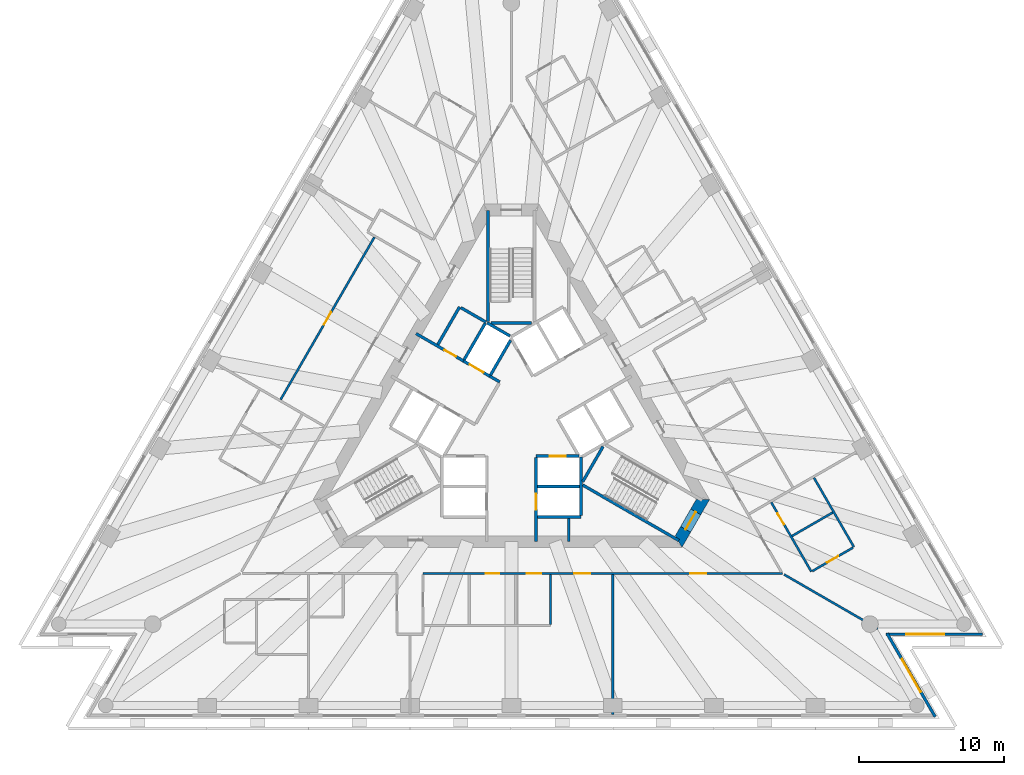
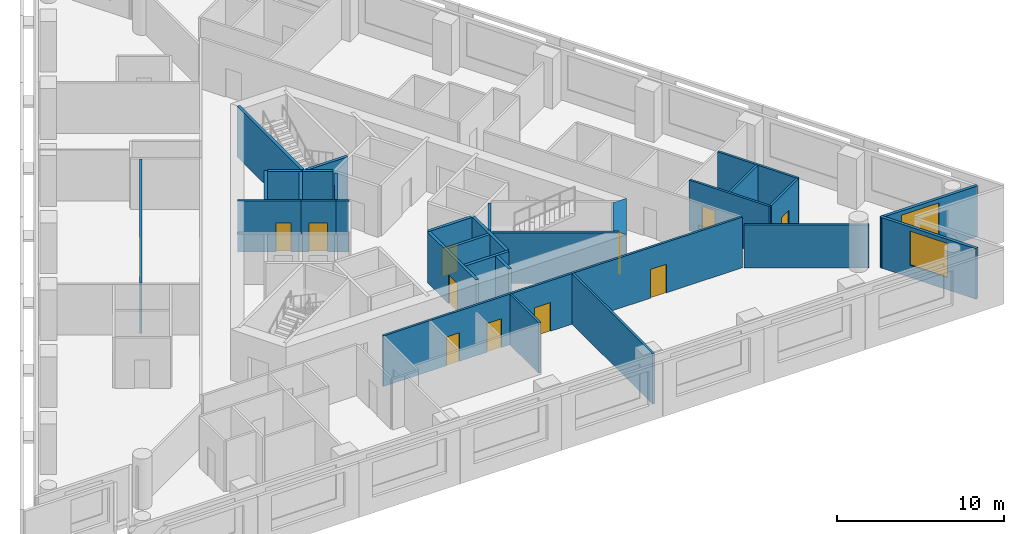
# One storey, part 5 of 10: 30 walls, 12 doors, 2 windows, 14 openings.
"""IFC4 building model written with IfcOpenShell, lengths in metres."""

from ifc_helpers import new_model, si_unit, direction, frame, frame_2d, origin, place, context, subcontext, project, spatial, polyline, rectangle, outline, extrude, material, layer, layer_set, layer_usage, type_object, element, fill, save


model = new_model("IFC4")

# Units and contexts
model_context = context("Model", 3, precision=1e-05, world=origin(), true_north=direction((0.0, 1.0)))
body_context = subcontext(model_context, "Body", "Model", "MODEL_VIEW")
ifc_project = project(units=[si_unit("LENGTHUNIT", "METRE"), si_unit("AREAUNIT", "SQUARE_METRE"), si_unit("VOLUMEUNIT", "CUBIC_METRE"), si_unit("PLANEANGLEUNIT", "RADIAN"), si_unit("MASSUNIT", "GRAM", prefix="KILO")], contexts=[model_context])

# Site, building, storey
site_placement = place(None, origin())
site = spatial("IfcSite", under=ifc_project, at=site_placement, CompositionType="ELEMENT")
building_placement = place(site_placement, origin())
building = spatial("IfcBuilding", under=site, at=building_placement, Name="Triada Interchange Tower", CompositionType="ELEMENT")
storey_placement = place(building_placement, frame((0.0, 0.0, 104.300048828125)))
storey = spatial("IfcBuildingStorey", under=building, at=storey_placement, Name="L23", CompositionType="ELEMENT", Elevation=104.300048828125)

# Walls
ifc_material_1 = material(Name="Concrete C30/37", Category="concrete")
ifc_layer_1 = layer(ifc_material_1, 0.199951171875)
ifc_layer_set_1 = layer_set([ifc_layer_1], Name="CORE WALL 200 EI 120")
wall_type_1 = type_object("IfcWallType", Name="CORE WALL 200 EI 120", PredefinedType="SOLIDWALL", material=ifc_layer_set_1)
wall_1_placement = place(storey_placement, frame((1.800048828125, -4.800048828125, 0.0), z_axis=(0.0, 0.0, 1.0), x_axis=(1.0, 0.0, 0.0)))
element("IfcWall", 1, at=wall_1_placement, inside=storey, type_object=wall_type_1, Name="Wall L23 67", PredefinedType="SOLIDWALL", context=body_context, shape_type="SweptSolid", body=[
    extrude(rectangle(XDim=2.89990234375, YDim=0.199951171875, at=frame_2d((1.449951171875, 0.0))), origin(), (0.0, 0.0, 1.0), 3.699951171875),
])
wall_2_placement = place(storey_placement, frame((1.800048828125, -6.89990234375, 0.0), z_axis=(0.0, 0.0, 1.0), x_axis=(1.0, 0.0, 0.0)))
element("IfcWall", 2, at=wall_2_placement, inside=storey, type_object=wall_type_1, Name="Wall L23 70", PredefinedType="SOLIDWALL", context=body_context, shape_type="SweptSolid", body=[
    extrude(rectangle(XDim=3.0, YDim=0.199951171875, at=frame_2d((1.5, 0.0))), origin(), (0.0, 0.0, 1.0), 3.699951171875),
])

# Wall, opening, door
wall_3_placement = place(storey_placement, frame((1.702880859375, -2.699951171875, 0.0), z_axis=(0.0, 0.0, 1.0), x_axis=(1.0, 0.0, 0.0)))
wall_3 = element("IfcWall", 3, at=wall_3_placement, inside=storey, type_object=wall_type_1, Name="Wall L23 73", PredefinedType="SOLIDWALL", context=body_context, shape_type="SweptSolid", body=[
    extrude(rectangle(XDim=2.97314453125, YDim=0.199951171875, at=frame_2d((1.486572265625, 0.0))), origin(), (0.0, 0.0, 1.0), 3.699951171875),
])
opening_1_placement = place(wall_3_placement, frame((0.93603515625, 0.0, 0.0)))
opening_1 = element("IfcOpeningElement", 4, at=opening_1_placement, cuts=wall_3, Name="Opening LD-LR1", PredefinedType="OPENING", context=body_context, shape_type="SweptSolid", body=[
    extrude(rectangle(XDim=1.10009765625, YDim=2.10009765625, at=frame_2d((0.550048828125, 1.050048828125))), frame((0.0, 0.10986328125, 0.0), z_axis=(0.0, -1.0, 0.0), x_axis=(1.0, 0.0, 0.0)), (0.0, 0.0, 1.0), 0.219970703125),
])
ifc_material_2 = material(Name="Steel S235 door leaf", Category="steel")
door_type_1 = type_object("IfcDoorType", Name="LIFT LANDING DOOR 1100 EI 120", OperationType="SLIDING_TO_LEFT", PredefinedType="DOOR", material=ifc_material_2)
door_1_placement = place(opening_1_placement, origin())
door_1 = element("IfcDoor", 5, at=door_1_placement, inside=storey, type_object=door_type_1, Name="LR1 landing door L23", OperationType="SLIDING_TO_LEFT", OverallHeight=2.10009765625, OverallWidth=1.10009765625, PredefinedType="DOOR", context=body_context, shape_type="SweptSolid", body=[
    extrude(rectangle(XDim=1.10009765625, YDim=2.10009765625, at=frame_2d((0.550048828125, 1.050048828125))), frame((0.0, 0.02490234375, 0.0), z_axis=(0.0, -1.0, 0.0), x_axis=(1.0, 0.0, 0.0)), (0.0, 0.0, 1.0), 0.050048828125),
])
fill(opening_1, door_1)

wall_4_placement = place(storey_placement, frame((1.699951171875, -8.580078125, 0.0), z_axis=(0.0, 0.0, 1.0), x_axis=(0.0, 1.0, 0.0)))
wall_4 = element("IfcWall", 6, at=wall_4_placement, inside=storey, type_object=wall_type_1, Name="Wall L23 78", PredefinedType="SOLIDWALL", context=body_context, shape_type="SweptSolid", body=[
    extrude(rectangle(XDim=5.777099609375, YDim=0.199951171875, at=frame_2d((2.888671875, 0.0))), origin(), (0.0, 0.0, 1.0), 3.699951171875),
])
opening_2_placement = place(wall_4_placement, frame((2.179931640625, 0.0, 0.0)))
opening_2 = element("IfcOpeningElement", 7, at=opening_2_placement, cuts=wall_4, Name="Opening LD-LR2", PredefinedType="OPENING", context=body_context, shape_type="SweptSolid", body=[
    extrude(rectangle(XDim=1.10009765625, YDim=2.10009765625, at=frame_2d((0.550048828125, 1.050048828125))), frame((0.0, 0.10986328125, 0.0), z_axis=(0.0, -1.0, 0.0), x_axis=(1.0, 0.0, 0.0)), (0.0, 0.0, 1.0), 0.219970703125),
])
door_2_placement = place(opening_2_placement, origin())
door_2 = element("IfcDoor", 8, at=door_2_placement, inside=storey, type_object=door_type_1, Name="LR2 landing door L23", OperationType="SLIDING_TO_LEFT", OverallHeight=2.10009765625, OverallWidth=1.10009765625, PredefinedType="DOOR", context=body_context, shape_type="SweptSolid", body=[
    extrude(rectangle(XDim=1.10009765625, YDim=2.10009765625, at=frame_2d((0.550048828125, 1.050048828125))), frame((0.0, 0.02490234375, 0.0), z_axis=(0.0, -1.0, 0.0), x_axis=(1.0, 0.0, 0.0)), (0.0, 0.0, 1.0), 0.050048828125),
])
fill(opening_2, door_2)

# Wall
wall_5_placement = place(storey_placement, frame((4.800048828125, -6.800048828125, 0.0), z_axis=(0.0, 0.0, 1.0), x_axis=(0.0, 1.0, 0.0)))
element("IfcWall", 9, at=wall_5_placement, inside=storey, type_object=wall_type_1, Name="Wall L23 79", PredefinedType="SOLIDWALL", context=body_context, shape_type="SweptSolid", body=[
    extrude(rectangle(XDim=4.029052734375, YDim=0.199951171875, at=frame_2d((2.0146484375, 0.0))), origin(), (0.0, 0.0, 1.0), 3.699951171875),
])

# Wall, opening, door
ifc_layer_2 = layer(ifc_material_1, 0.199951171875)
ifc_layer_set_2 = layer_set([ifc_layer_2], Name="CORE WALL 200 EI 180")
wall_type_2 = type_object("IfcWallType", Name="CORE WALL 200 EI 180", PredefinedType="SOLIDWALL", material=ifc_layer_set_2)
wall_6_placement = place(storey_placement, frame((-6.580078125, 5.761962890625, 0.0), z_axis=(0.0, 0.0, 1.0), x_axis=(0.866029704776, -0.49999255039, 0.0)))
wall_6 = element("IfcWall", 10, at=wall_6_placement, inside=storey, type_object=wall_type_2, Name="Wall L23 88", PredefinedType="SOLIDWALL", context=body_context, shape_type="SweptSolid", body=[
    extrude(rectangle(XDim=3.78173828125, YDim=0.199951171875, at=frame_2d((1.890869140625, 0.0))), origin(), (0.0, 0.0, 1.0), 3.699951171875),
])
opening_3_placement = place(wall_6_placement, frame((2.279052734375, 0.0, 0.0)))
opening_3 = element("IfcOpeningElement", 11, at=opening_3_placement, cuts=wall_6, Name="Opening D23-10", PredefinedType="OPENING", context=body_context, shape_type="SweptSolid", body=[
    extrude(rectangle(XDim=0.89990234375, YDim=2.10009765625, at=frame_2d((0.449951171875, 1.050048828125))), frame((0.0, 0.10986328125, 0.0), z_axis=(0.0, -1.0, 0.0), x_axis=(1.0, 0.0, 0.0)), (0.0, 0.0, 1.0), 0.219970703125),
])
door_type_2 = type_object("IfcDoorType", Name="SERVICE DOOR 900 EI2 90-C5S200", OperationType="NOTDEFINED", PredefinedType="DOOR", material=ifc_material_2)
door_3_placement = place(opening_3_placement, origin())
door_3 = element("IfcDoor", 12, at=door_3_placement, inside=storey, type_object=door_type_2, Name="Door D23-10 L23", OperationType="SINGLE_SWING_LEFT", OverallHeight=2.10009765625, OverallWidth=0.89990234375, PredefinedType="DOOR", context=body_context, shape_type="SweptSolid", body=[
    extrude(rectangle(XDim=0.89990234375, YDim=2.10009765625, at=frame_2d((0.449951171875, 1.050048828125))), frame((0.0, 0.02490234375, 0.0), z_axis=(0.0, -1.0, 0.0), x_axis=(1.0, 0.0, 0.0)), (0.0, 0.0, 1.0), 0.050048828125),
])
fill(opening_3, door_3)

# Walls
wall_7_placement = place(storey_placement, frame((-1.488037109375, 2.822021484375, 0.0), z_axis=(0.0, 0.0, 1.0), x_axis=(0.866236612152, -0.499633997809, 0.0)))
element("IfcWall", 13, at=wall_7_placement, inside=storey, type_object=wall_type_2, Name="Wall L23 89", PredefinedType="SOLIDWALL", context=body_context, shape_type="SweptSolid", body=[
    extrude(rectangle(XDim=0.79638671875, YDim=0.199951171875, at=frame_2d((0.398193359375, 0.0))), origin(), (0.0, 0.0, 1.0), 3.699951171875),
])
wall_8_placement = place(storey_placement, frame((-5.075927734375, 5.009033203125, 0.0), z_axis=(0.0, 0.0, 1.0), x_axis=(0.50002537861, 0.866010750942, 0.0)))
element("IfcWall", 14, at=wall_8_placement, inside=storey, type_object=wall_type_2, Name="Wall L23 90", PredefinedType="SOLIDWALL", context=body_context, shape_type="SweptSolid", body=[
    extrude(rectangle(XDim=2.999755859375, YDim=0.199951171875, at=frame_2d((1.5, 0.0))), origin(), (0.0, 0.0, 1.0), 3.699951171875),
])
wall_9_placement = place(storey_placement, frame((-3.489013671875, 7.556884765625, 0.0), z_axis=(0.0, 0.0, 1.0), x_axis=(0.866010750942, -0.50002537861, 0.0)))
element("IfcWall", 15, at=wall_9_placement, inside=storey, type_object=wall_type_2, Name="Wall L23 91", PredefinedType="SOLIDWALL", context=body_context, shape_type="SweptSolid", body=[
    extrude(rectangle(XDim=2.0, YDim=0.199951171875, at=frame_2d((1.0, 0.0))), origin(), (0.0, 0.0, 1.0), 3.699951171875),
])

# Wall, opening, door
wall_10_placement = place(storey_placement, frame((-3.30908203125, 3.873046875, 0.0), z_axis=(0.0, 0.0, 1.0), x_axis=(0.866098583652, -0.499873227325, 0.0)))
wall_10 = element("IfcWall", 16, at=wall_10_placement, inside=storey, type_object=wall_type_2, Name="Shaft wall FF2 L23 97", PredefinedType="SOLIDWALL", context=body_context, shape_type="SweptSolid", body=[
    extrude(rectangle(XDim=2.1025390625, YDim=0.199951171875, at=frame_2d((1.05126953125, 0.0))), origin(), (0.0, 0.0, 1.0), 3.699951171875),
])
opening_4_placement = place(wall_10_placement, frame((0.501953125, 0.0, 0.0)))
opening_4 = element("IfcOpeningElement", 17, at=opening_4_placement, cuts=wall_10, Name="Opening LD-FF2", PredefinedType="OPENING", context=body_context, shape_type="SweptSolid", body=[
    extrude(rectangle(XDim=1.10009765625, YDim=2.10009765625, at=frame_2d((0.550048828125, 1.050048828125))), frame((0.0, 0.10986328125, 0.0), z_axis=(0.0, -1.0, 0.0), x_axis=(1.0, 0.0, 0.0)), (0.0, 0.0, 1.0), 0.219970703125),
])
door_4_placement = place(opening_4_placement, origin())
door_4 = element("IfcDoor", 18, at=door_4_placement, inside=storey, type_object=door_type_1, Name="FF2 landing door L23", OperationType="SLIDING_TO_LEFT", OverallHeight=2.10009765625, OverallWidth=1.10009765625, PredefinedType="DOOR", context=body_context, shape_type="SweptSolid", body=[
    extrude(rectangle(XDim=1.10009765625, YDim=2.10009765625, at=frame_2d((0.550048828125, 1.050048828125))), frame((0.0, 0.02490234375, 0.0), z_axis=(0.0, -1.0, 0.0), x_axis=(1.0, 0.0, 0.0)), (0.0, 0.0, 1.0), 0.050048828125),
])
fill(opening_4, door_4)

# Walls
wall_11_placement = place(storey_placement, frame((-3.257080078125, 3.958984375, 0.0), z_axis=(0.0, 0.0, 1.0), x_axis=(0.50012328804, 0.865954211699, 0.0)))
element("IfcWall", 19, at=wall_11_placement, inside=storey, type_object=wall_type_2, Name="Shaft wall FF2 L23 98", PredefinedType="SOLIDWALL", context=body_context, shape_type="SweptSolid", body=[
    extrude(rectangle(XDim=2.899658203125, YDim=0.199951171875, at=frame_2d((1.44970703125, 0.0))), origin(), (0.0, 0.0, 1.0), 3.699951171875),
])
wall_12_placement = place(storey_placement, frame((-1.669921875, 6.507080078125, 0.0), z_axis=(0.0, 0.0, 1.0), x_axis=(0.865941441609, -0.500145398563, 0.0)))
element("IfcWall", 20, at=wall_12_placement, inside=storey, type_object=wall_type_2, Name="Shaft wall FF2 L23 99", PredefinedType="SOLIDWALL", context=body_context, shape_type="SweptSolid", body=[
    extrude(rectangle(XDim=1.8154296875, YDim=0.199951171875, at=frame_2d((0.90771484375, 0.0))), origin(), (0.0, 0.0, 1.0), 3.699951171875),
])
wall_13_placement = place(storey_placement, frame((-1.43798828125, 2.908935546875, 0.0), z_axis=(0.0, 0.0, 1.0), x_axis=(0.499829630636, 0.866123744241, 0.0)))
element("IfcWall", 21, at=wall_13_placement, inside=storey, type_object=wall_type_2, Name="Shaft wall FF2 L23 100", PredefinedType="SOLIDWALL", context=body_context, shape_type="SweptSolid", body=[
    extrude(rectangle(XDim=2.7607421875, YDim=0.199951171875, at=frame_2d((1.38037109375, 0.0))), origin(), (0.0, 0.0, 1.0), 3.699951171875),
])
ifc_layer_3 = layer(ifc_material_1, 0.199951171875)
ifc_layer_set_3 = layer_set([ifc_layer_3], Name="CORE WALL 200 EI 90")
wall_type_3 = type_object("IfcWallType", Name="CORE WALL 200 EI 90", PredefinedType="SOLIDWALL", material=ifc_layer_set_3)
wall_14_placement = place(storey_placement, frame((3.966064453125, -8.580078125, 0.0), z_axis=(0.0, 0.0, 1.0), x_axis=(0.0, 1.0, 0.0)))
element("IfcWall", 22, at=wall_14_placement, inside=storey, type_object=wall_type_3, Name="Wall L23 101", PredefinedType="SOLIDWALL", context=body_context, shape_type="SweptSolid", body=[
    extrude(rectangle(XDim=1.580078125, YDim=0.199951171875, at=frame_2d((0.7900390625, 0.0))), origin(), (0.0, 0.0, 1.0), 3.699951171875),
])
ifc_layer_4 = layer(ifc_material_1, 0.199951171875)
ifc_layer_set_4 = layer_set([ifc_layer_4], Name="CORE WALL 200 REI 240")
wall_type_4 = type_object("IfcWallType", Name="CORE WALL 200 REI 240", PredefinedType="SOLIDWALL", material=ifc_layer_set_4)
wall_15_placement = place(storey_placement, frame((-1.39990234375, 6.5, 0.0), z_axis=(0.0, 0.0, 1.0), x_axis=(1.0, 0.0, 0.0)))
element("IfcWall", 23, at=wall_15_placement, inside=storey, type_object=wall_type_4, Name="Wall L23 107", PredefinedType="SOLIDWALL", context=body_context, shape_type="SweptSolid", body=[
    extrude(rectangle(XDim=2.7998046875, YDim=0.199951171875, at=frame_2d((1.39990234375, 0.0))), origin(), (0.0, 0.0, 1.0), 3.699951171875),
])
for number, where, z_axis, x_axis, name in (
    (24, (-1.60009765625, 6.614990234375, 0.0), (0.0, 0.0, 1.0), (0.0, 1.0, 0.0), "Wall L23 108"),
    (25, (4.928955078125, -4.693115234375, 0.0), (0.0, 0.0, 1.0), (0.866005769735, -0.50003400563, 0.0), "Wall L23 109"),
):
    element("IfcWall", number, at=place(storey_placement, frame(where, z_axis=z_axis, x_axis=x_axis)), inside=storey, type_object=wall_type_4, Name=name, PredefinedType="SOLIDWALL", context=body_context, shape_type="SweptSolid", body=[
        extrude(rectangle(XDim=7.6650390625, YDim=0.199951171875, at=frame_2d((3.83251953125, 0.0))), origin(), (0.0, 0.0, 1.0), 3.699951171875),
    ])
wall_16_placement = place(storey_placement, frame((4.928955078125, -4.4619140625, 0.0), z_axis=(0.0, 0.0, 1.0), x_axis=(0.500200581029, 0.865909567298, 0.0)))
element("IfcWall", 26, at=wall_16_placement, inside=storey, type_object=wall_type_4, Name="Wall L23 110", PredefinedType="SOLIDWALL", context=body_context, shape_type="SweptSolid", body=[
    extrude(rectangle(XDim=2.799072265625, YDim=0.199951171875, at=frame_2d((1.3994140625, 0.0))), origin(), (0.0, 0.0, 1.0), 3.699951171875),
])

# Wall, opening, door
ifc_material_3 = material(Name="Concrete C60/75", Category="concrete")
ifc_layer_5 = layer(ifc_material_3, 0.800048828125)
ifc_layer_set_5 = layer_set([ifc_layer_5], Name="Core wall B 800")
wall_type_5 = type_object("IfcWallType", Name="Core wall B 800", PredefinedType="SHEAR", material=ifc_layer_set_5)
wall_17_placement = place(storey_placement, frame((11.547119140625, -8.60009765625, -0.300048828125), z_axis=(0.0, 0.0, 1.0), x_axis=(0.49987182685, 0.866099391942, 0.0)))
wall_17 = element("IfcWall", 27, at=wall_17_placement, inside=storey, type_object=wall_type_5, Name="Core wall WB05 L23", PredefinedType="SHEAR", context=body_context, shape_type="SweptSolid", body=[
    extrude(outline(polyline([(-0.23095703125, -0.39990234375), (1.674072265625, -0.39990234375), (3.5791015625, -0.39990234375), (3.117919921875, 0.39990234375), (1.67431640625, 0.39990234375), (0.23095703125, 0.39990234375), (-0.23095703125, -0.39990234375)])), origin(), (0.0, 0.0, 1.0), 4.0),
])
opening_5_placement = place(wall_17_placement, frame((0.97412109375, 0.0, 0.300048828125)))
opening_5 = element("IfcOpeningElement", 28, at=opening_5_placement, cuts=wall_17, Name="Opening D23-45", PredefinedType="OPENING", context=body_context, shape_type="SweptSolid", body=[
    extrude(rectangle(XDim=1.39990234375, YDim=2.10009765625, at=frame_2d((0.699951171875, 1.050048828125))), frame((0.0, 0.409912109375, 0.0), z_axis=(0.0, -1.0, 0.0), x_axis=(1.0, 0.0, 0.0)), (0.0, 0.0, 1.0), 0.820068359375),
])
door_type_3 = type_object("IfcDoorType", Name="STAIR DOOR 1400 EI2 90-C5S200", OperationType="DOUBLE_DOOR_SINGLE_SWING", PredefinedType="DOOR", material=ifc_material_2)
door_5_placement = place(opening_5_placement, origin())
door_5 = element("IfcDoor", 29, at=door_5_placement, inside=storey, type_object=door_type_3, Name="Door D23-45 L23", OperationType="DOUBLE_DOOR_SINGLE_SWING", OverallHeight=2.10009765625, OverallWidth=1.39990234375, PredefinedType="DOOR", context=body_context, shape_type="SweptSolid", body=[
    extrude(rectangle(XDim=1.39990234375, YDim=2.10009765625, at=frame_2d((0.699951171875, 1.050048828125))), frame((0.0, 0.02490234375, 0.0), z_axis=(0.0, -1.0, 0.0), x_axis=(1.0, 0.0, 0.0)), (0.0, 0.0, 1.0), 0.050048828125),
])
fill(opening_5, door_5)

# Wall, opening, window
ifc_material_4 = material(Name="Cement board")
ifc_layer_6 = layer(ifc_material_4, 0.02001953125, Name="Cement board cladding")
ifc_material_5 = material(Name="Sheathing board")
ifc_layer_7 = layer(ifc_material_5, 0.014892578125, Name="Sheathing board")
ifc_material_6 = material(Name="Mineral wool")
ifc_layer_8 = layer(ifc_material_6, 0.14990234375, Name="Mineral wool between steel studs")
ifc_material_7 = material(Name="Gypsum board")
ifc_layer_9 = layer(ifc_material_7, 0.014892578125, Name="Plasterboard lining")
ifc_layer_set_6 = layer_set([ifc_layer_6, ifc_layer_7, ifc_layer_8, ifc_layer_9], Name="External wall 200")
ifc_layer_usage = layer_usage(ifc_layer_set_6, "AXIS2", "POSITIVE", -0.10009765625)
wall_type_6 = type_object("IfcWallType", Name="External wall 200", PredefinedType="ELEMENTEDWALL", material=ifc_layer_set_6)
wall_18_placement = place(storey_placement, frame((29.264892578125, -20.695068359375, 0.0), z_axis=(0.0, 0.0, 1.0), x_axis=(-0.499933237632, 0.866063945624, 0.0)))
wall_18 = element("IfcWall", 30, at=wall_18_placement, inside=storey, type_object=wall_type_6, material=ifc_layer_usage, Name="External wall L23 SE-1", PredefinedType="ELEMENTEDWALL", context=body_context, shape_type="SweptSolid", body=[
    extrude(rectangle(XDim=6.65087890625, YDim=0.199951171875, at=frame_2d((3.325439453125, 0.0))), origin(), (0.0, 0.0, 1.0), 3.699951171875),
])
opening_6_placement = place(wall_18_placement, frame((1.989990234375, 0.0, 0.89990234375)))
opening_6 = element("IfcOpeningElement", 31, at=opening_6_placement, cuts=wall_18, Name="Opening WB19", PredefinedType="OPENING", context=body_context, shape_type="SweptSolid", body=[
    extrude(rectangle(XDim=2.60009765625, YDim=2.5, at=frame_2d((1.300048828125, 1.25))), frame((0.0, 0.10986328125, 0.0), z_axis=(0.0, -1.0, 0.0), x_axis=(1.0, 0.0, 0.0)), (0.0, 0.0, 1.0), 0.219970703125),
])
ifc_material_8 = material(Name="Double glazed aluminium window", Category="aluminium")
window_type = type_object("IfcWindowType", Name="Ribbon window B pocket", PartitioningType="SINGLE_PANEL", PredefinedType="WINDOW", material=ifc_material_8)
window_1_placement = place(opening_6_placement, origin())
window_1 = element("IfcWindow", 32, at=window_1_placement, inside=storey, type_object=window_type, Name="Window L23 SE-1 1", OverallHeight=2.5, OverallWidth=2.60009765625, PartitioningType="SINGLE_PANEL", PredefinedType="WINDOW", context=body_context, shape_type="SweptSolid", body=[
    extrude(rectangle(XDim=2.60009765625, YDim=2.5, at=frame_2d((1.300048828125, 1.25))), frame((0.0, 0.030029296875, 0.0), z_axis=(0.0, -1.0, 0.0), x_axis=(1.0, 0.0, 0.0)), (0.0, 0.0, 1.0), 0.06005859375),
])
fill(opening_6, window_1)

wall_19_placement = place(storey_placement, frame((25.885009765625, -14.99609375, 0.0), z_axis=(0.0, 0.0, 1.0), x_axis=(1.0, 0.0, 0.0)))
wall_19 = element("IfcWall", 33, at=wall_19_placement, inside=storey, type_object=wall_type_6, material=ifc_layer_usage, Name="External wall L23 SE-2", PredefinedType="ELEMENTEDWALL", context=body_context, shape_type="SweptSolid", body=[
    extrude(rectangle(XDim=6.64990234375, YDim=0.199951171875, at=frame_2d((3.324951171875, 0.0))), origin(), (0.0, 0.0, 1.0), 3.699951171875),
])
opening_7_placement = place(wall_19_placement, frame((1.389892578125, 0.0, 0.89990234375)))
opening_7 = element("IfcOpeningElement", 34, at=opening_7_placement, cuts=wall_19, Name="Opening WB20", PredefinedType="OPENING", context=body_context, shape_type="SweptSolid", body=[
    extrude(rectangle(XDim=2.60009765625, YDim=2.5, at=frame_2d((1.300048828125, 1.25))), frame((0.0, 0.10986328125, 0.0), z_axis=(0.0, -1.0, 0.0), x_axis=(1.0, 0.0, 0.0)), (0.0, 0.0, 1.0), 0.219970703125),
])
window_2_placement = place(opening_7_placement, origin())
window_2 = element("IfcWindow", 35, at=window_2_placement, inside=storey, type_object=window_type, Name="Window L23 SE-2 1", OverallHeight=2.5, OverallWidth=2.60009765625, PartitioningType="SINGLE_PANEL", PredefinedType="WINDOW", context=body_context, shape_type="SweptSolid", body=[
    extrude(rectangle(XDim=2.60009765625, YDim=2.5, at=frame_2d((1.300048828125, 1.25))), frame((0.0, 0.030029296875, 0.0), z_axis=(0.0, -1.0, 0.0), x_axis=(1.0, 0.0, 0.0)), (0.0, 0.0, 1.0), 0.06005859375),
])
fill(opening_7, window_2)

# Wall, openings, doors
ifc_material_9 = material(Name="Gypsum board partition")
ifc_layer_10 = layer(ifc_material_9, 0.14990234375)
ifc_layer_set_7 = layer_set([ifc_layer_10], Name="PARTITION 150 EI 180")
wall_type_7 = type_object("IfcWallType", Name="PARTITION 150 EI 180", PredefinedType="PARTITIONING", material=ifc_layer_set_7)
wall_20_placement = place(storey_placement, frame((-6.10107421875, -10.800048828125, 0.0), z_axis=(0.0, 0.0, 1.0), x_axis=(1.0, 0.0, 0.0)))
wall_20 = element("IfcWall", 36, at=wall_20_placement, inside=storey, type_object=wall_type_7, Name="Wall L23 5", PredefinedType="PARTITIONING", context=body_context, shape_type="SweptSolid", body=[
    extrude(rectangle(XDim=24.80712890625, YDim=0.14990234375, at=frame_2d((12.403564453125, 0.0))), origin(), (0.0, 0.0, 1.0), 3.699951171875),
])
opening_8_placement = place(wall_20_placement, frame((10.448974609375, 0.0, 0.0)))
opening_8 = element("IfcOpeningElement", 37, at=opening_8_placement, cuts=wall_20, Name="Opening D23-16", PredefinedType="OPENING", context=body_context, shape_type="SweptSolid", body=[
    extrude(rectangle(XDim=1.10009765625, YDim=2.10009765625, at=frame_2d((0.550048828125, 1.050048828125))), frame((0.0, 0.0849609375, 0.0), z_axis=(0.0, -1.0, 0.0), x_axis=(1.0, 0.0, 0.0)), (0.0, 0.0, 1.0), 0.169921875),
])
opening_9_placement = place(wall_20_placement, frame((4.34912109375, 0.0, 0.0)))
opening_9 = element("IfcOpeningElement", 38, at=opening_9_placement, cuts=wall_20, Name="Opening D23-18", PredefinedType="OPENING", context=body_context, shape_type="SweptSolid", body=[
    extrude(rectangle(XDim=0.89990234375, YDim=2.10009765625, at=frame_2d((0.449951171875, 1.050048828125))), frame((0.0, 0.0849609375, 0.0), z_axis=(0.0, -1.0, 0.0), x_axis=(1.0, 0.0, 0.0)), (0.0, 0.0, 1.0), 0.169921875),
])
opening_10_placement = place(wall_20_placement, frame((7.14892578125, 0.0, 0.0)))
opening_10 = element("IfcOpeningElement", 39, at=opening_10_placement, cuts=wall_20, Name="Opening D23-19", PredefinedType="OPENING", context=body_context, shape_type="SweptSolid", body=[
    extrude(rectangle(XDim=1.0, YDim=2.10009765625, at=frame_2d((0.5, 1.050048828125))), frame((0.0, 0.0849609375, 0.0), z_axis=(0.0, -1.0, 0.0), x_axis=(1.0, 0.0, 0.0)), (0.0, 0.0, 1.0), 0.169921875),
])
opening_11_placement = place(wall_20_placement, frame((18.452880859375, 0.0, 0.0)))
opening_11 = element("IfcOpeningElement", 40, at=opening_11_placement, cuts=wall_20, Name="Opening D23-20", PredefinedType="OPENING", context=body_context, shape_type="SweptSolid", body=[
    extrude(rectangle(XDim=1.10009765625, YDim=2.10009765625, at=frame_2d((0.550048828125, 1.050048828125))), frame((0.0, 0.0849609375, 0.0), z_axis=(0.0, -1.0, 0.0), x_axis=(1.0, 0.0, 0.0)), (0.0, 0.0, 1.0), 0.169921875),
])
door_type_4 = type_object("IfcDoorType", Name="ROOM DOOR 1000 EI2 90-C5S200", OperationType="NOTDEFINED", PredefinedType="DOOR", material=ifc_material_2)
door_6_placement = place(opening_10_placement, origin())
door_6 = element("IfcDoor", 41, at=door_6_placement, inside=storey, type_object=door_type_4, Name="Door D23-19 L23", OperationType="SINGLE_SWING_RIGHT", OverallHeight=2.10009765625, OverallWidth=1.0, PredefinedType="DOOR", context=body_context, shape_type="SweptSolid", body=[
    extrude(rectangle(XDim=1.0, YDim=2.10009765625, at=frame_2d((0.5, 1.050048828125))), frame((0.0, 0.02490234375, 0.0), z_axis=(0.0, -1.0, 0.0), x_axis=(1.0, 0.0, 0.0)), (0.0, 0.0, 1.0), 0.050048828125),
])
fill(opening_10, door_6)
door_type_5 = type_object("IfcDoorType", Name="ROOM DOOR 900 EI2 90-C5S200", OperationType="NOTDEFINED", PredefinedType="DOOR", material=ifc_material_2)
door_7_placement = place(opening_9_placement, origin())
door_7 = element("IfcDoor", 42, at=door_7_placement, inside=storey, type_object=door_type_5, Name="Door D23-18 L23", OperationType="SINGLE_SWING_RIGHT", OverallHeight=2.10009765625, OverallWidth=0.89990234375, PredefinedType="DOOR", context=body_context, shape_type="SweptSolid", body=[
    extrude(rectangle(XDim=0.89990234375, YDim=2.10009765625, at=frame_2d((0.449951171875, 1.050048828125))), frame((0.0, 0.02490234375, 0.0), z_axis=(0.0, -1.0, 0.0), x_axis=(1.0, 0.0, 0.0)), (0.0, 0.0, 1.0), 0.050048828125),
])
fill(opening_9, door_7)
door_type_6 = type_object("IfcDoorType", Name="TENANCY ENTRANCE DOOR 1100 EI2 90-C5S200", OperationType="NOTDEFINED", PredefinedType="DOOR", material=ifc_material_2)
door_8_placement = place(opening_8_placement, origin())
door_8 = element("IfcDoor", 43, at=door_8_placement, inside=storey, type_object=door_type_6, Name="Door D23-16 L23", OperationType="SINGLE_SWING_RIGHT", OverallHeight=2.10009765625, OverallWidth=1.10009765625, PredefinedType="DOOR", context=body_context, shape_type="SweptSolid", body=[
    extrude(rectangle(XDim=1.10009765625, YDim=2.10009765625, at=frame_2d((0.550048828125, 1.050048828125))), frame((0.0, 0.02490234375, 0.0), z_axis=(0.0, -1.0, 0.0), x_axis=(1.0, 0.0, 0.0)), (0.0, 0.0, 1.0), 0.050048828125),
])
fill(opening_8, door_8)
door_9_placement = place(opening_11_placement, origin())
door_9 = element("IfcDoor", 44, at=door_9_placement, inside=storey, type_object=door_type_6, Name="Door D23-20 L23", OperationType="SINGLE_SWING_LEFT", OverallHeight=2.10009765625, OverallWidth=1.10009765625, PredefinedType="DOOR", context=body_context, shape_type="SweptSolid", body=[
    extrude(rectangle(XDim=1.10009765625, YDim=2.10009765625, at=frame_2d((0.550048828125, 1.050048828125))), frame((0.0, 0.02490234375, 0.0), z_axis=(0.0, -1.0, 0.0), x_axis=(1.0, 0.0, 0.0)), (0.0, 0.0, 1.0), 0.050048828125),
])
fill(opening_11, door_9)

# Walls
wall_21_placement = place(storey_placement, frame((2.697998046875, -14.324951171875, 0.0), z_axis=(0.0, 0.0, 1.0), x_axis=(0.0, 1.0, 0.0)))
element("IfcWall", 45, at=wall_21_placement, inside=storey, type_object=wall_type_7, Name="Wall L23 25", PredefinedType="PARTITIONING", context=body_context, shape_type="SweptSolid", body=[
    extrude(rectangle(XDim=3.449951171875, YDim=0.14990234375, at=frame_2d((1.72509765625, 0.0))), origin(), (0.0, 0.0, 1.0), 3.699951171875),
])
wall_22_placement = place(storey_placement, frame((7.001953125, -20.537109375, 0.0), z_axis=(0.0, 0.0, 1.0), x_axis=(0.0, 1.0, 0.0)))
element("IfcWall", 46, at=wall_22_placement, inside=storey, type_object=wall_type_7, Name="Wall L23 30", PredefinedType="PARTITIONING", context=body_context, shape_type="SweptSolid", body=[
    extrude(rectangle(XDim=9.662109375, YDim=0.14990234375, at=frame_2d((4.8310546875, 0.0))), origin(), (0.0, 0.0, 1.0), 3.699951171875),
])
wall_23_placement = place(storey_placement, frame((18.8359375, -10.8740234375, 0.0), z_axis=(0.0, 0.0, 1.0), x_axis=(0.865999816151, -0.500044316462, 0.0)))
element("IfcWall", 47, at=wall_23_placement, inside=storey, type_object=wall_type_7, Name="Wall L23 41", PredefinedType="PARTITIONING", context=body_context, shape_type="SweptSolid", body=[
    extrude(rectangle(XDim=7.463134765625, YDim=0.14990234375, at=frame_2d((3.7314453125, 0.0))), origin(), (0.0, 0.0, 1.0), 3.14990234375),
])

# Wall, opening, door
ifc_layer_11 = layer(ifc_material_9, 0.14990234375)
ifc_layer_set_8 = layer_set([ifc_layer_11], Name="PARTITION 150 EI 90")
wall_type_8 = type_object("IfcWallType", Name="PARTITION 150 EI 90", PredefinedType="PARTITIONING", material=ifc_layer_set_8)
wall_24_placement = place(storey_placement, frame((-15.93408203125, 1.201904296875, 0.0), z_axis=(0.0, 0.0, 1.0), x_axis=(0.499994937304, 0.866028326714, 0.0)))
wall_24 = element("IfcWall", 48, at=wall_24_placement, inside=storey, type_object=wall_type_8, Name="Wall L23 52", PredefinedType="PARTITIONING", context=body_context, shape_type="SweptSolid", body=[
    extrude(rectangle(XDim=12.952392578125, YDim=0.14990234375, at=frame_2d((6.47607421875, 0.0))), origin(), (0.0, 0.0, 1.0), 3.699951171875),
])
opening_12_placement = place(wall_24_placement, frame((5.97705078125, 0.0, 0.0)))
opening_12 = element("IfcOpeningElement", 49, at=opening_12_placement, cuts=wall_24, Name="Opening D23-38", PredefinedType="OPENING", context=body_context, shape_type="SweptSolid", body=[
    extrude(rectangle(XDim=1.0, YDim=2.10009765625, at=frame_2d((0.5, 1.050048828125))), frame((0.0, 0.0849609375, 0.0), z_axis=(0.0, -1.0, 0.0), x_axis=(1.0, 0.0, 0.0)), (0.0, 0.0, 1.0), 0.169921875),
])
door_type_7 = type_object("IfcDoorType", Name="ROOM DOOR 1000 EI2 45-C5S200", OperationType="NOTDEFINED", PredefinedType="DOOR", material=ifc_material_2)
door_10_placement = place(opening_12_placement, origin())
door_10 = element("IfcDoor", 50, at=door_10_placement, inside=storey, type_object=door_type_7, Name="Door D23-38 L23", OperationType="SINGLE_SWING_LEFT", OverallHeight=2.10009765625, OverallWidth=1.0, PredefinedType="DOOR", context=body_context, shape_type="SweptSolid", body=[
    extrude(rectangle(XDim=1.0, YDim=2.10009765625, at=frame_2d((0.5, 1.050048828125))), frame((0.0, 0.02490234375, 0.0), z_axis=(0.0, -1.0, 0.0), x_axis=(1.0, 0.0, 0.0)), (0.0, 0.0, 1.0), 0.050048828125),
])
fill(opening_12, door_10)

wall_25_placement = place(storey_placement, frame((17.950927734375, -5.89208984375, 0.0), z_axis=(0.0, 0.0, 1.0), x_axis=(0.500083244257, -0.865977337356, 0.0)))
wall_25 = element("IfcWall", 51, at=wall_25_placement, inside=storey, type_object=wall_type_8, Name="Wall L23 59", PredefinedType="PARTITIONING", context=body_context, shape_type="SweptSolid", body=[
    extrude(rectangle(XDim=5.525390625, YDim=0.14990234375, at=frame_2d((2.7626953125, 0.0))), origin(), (0.0, 0.0, 1.0), 3.699951171875),
])
opening_13_placement = place(wall_25_placement, frame((0.875, 0.0, 0.0)))
opening_13 = element("IfcOpeningElement", 52, at=opening_13_placement, cuts=wall_25, Name="Opening D23-22", PredefinedType="OPENING", context=body_context, shape_type="SweptSolid", body=[
    extrude(rectangle(XDim=0.89990234375, YDim=2.10009765625, at=frame_2d((0.449951171875, 1.050048828125))), frame((0.0, 0.0849609375, 0.0), z_axis=(0.0, -1.0, 0.0), x_axis=(1.0, 0.0, 0.0)), (0.0, 0.0, 1.0), 0.169921875),
])
door_type_8 = type_object("IfcDoorType", Name="ROOM DOOR 900 EI2 45-C5S200", OperationType="NOTDEFINED", PredefinedType="DOOR", material=ifc_material_2)
door_11_placement = place(opening_13_placement, origin())
door_11 = element("IfcDoor", 53, at=door_11_placement, inside=storey, type_object=door_type_8, Name="Door D23-22 L23", OperationType="SINGLE_SWING_LEFT", OverallHeight=2.10009765625, OverallWidth=0.89990234375, PredefinedType="DOOR", context=body_context, shape_type="SweptSolid", body=[
    extrude(rectangle(XDim=0.89990234375, YDim=2.10009765625, at=frame_2d((0.449951171875, 1.050048828125))), frame((0.0, 0.02490234375, 0.0), z_axis=(0.0, -1.0, 0.0), x_axis=(1.0, 0.0, 0.0)), (0.0, 0.0, 1.0), 0.050048828125),
])
fill(opening_13, door_11)

# Walls
wall_26_placement = place(storey_placement, frame((19.37890625, -8.215087890625, 0.0), z_axis=(0.0, 0.0, 1.0), x_axis=(0.86599666273, 0.500049777664, 0.0)))
element("IfcWall", 54, at=wall_26_placement, inside=storey, type_object=wall_type_8, Name="Wall L23 61", PredefinedType="PARTITIONING", context=body_context, shape_type="SweptSolid", body=[
    extrude(rectangle(XDim=3.249755859375, YDim=0.14990234375, at=frame_2d((1.625, 0.0))), origin(), (0.0, 0.0, 1.0), 3.699951171875),
])
wall_27_placement = place(storey_placement, frame((20.89599609375, -4.19189453125, 0.0), z_axis=(0.0, 0.0, 1.0), x_axis=(0.499898410332, -0.866084048662, 0.0)))
element("IfcWall", 55, at=wall_27_placement, inside=storey, type_object=wall_type_8, Name="Wall L23 62", PredefinedType="PARTITIONING", context=body_context, shape_type="SweptSolid", body=[
    extrude(rectangle(XDim=5.525146484375, YDim=0.14990234375, at=frame_2d((2.7626953125, 0.0))), origin(), (0.0, 0.0, 1.0), 3.699951171875),
])

# Wall, opening, door
wall_28_placement = place(storey_placement, frame((20.779052734375, -10.639892578125, 0.0), z_axis=(0.0, 0.0, 1.0), x_axis=(0.865977875238, 0.500082312822, 0.0)))
wall_28 = element("IfcWall", 56, at=wall_28_placement, inside=storey, type_object=wall_type_8, Name="Wall L23 63", PredefinedType="PARTITIONING", context=body_context, shape_type="SweptSolid", body=[
    extrude(rectangle(XDim=3.24951171875, YDim=0.14990234375, at=frame_2d((1.624755859375, 0.0))), origin(), (0.0, 0.0, 1.0), 3.699951171875),
])
opening_14_placement = place(wall_28_placement, frame((1.175048828125, 0.0, 0.0)))
opening_14 = element("IfcOpeningElement", 57, at=opening_14_placement, cuts=wall_28, Name="Opening D23-23", PredefinedType="OPENING", context=body_context, shape_type="SweptSolid", body=[
    extrude(rectangle(XDim=0.89990234375, YDim=2.10009765625, at=frame_2d((0.449951171875, 1.050048828125))), frame((0.0, 0.0849609375, 0.0), z_axis=(0.0, -1.0, 0.0), x_axis=(1.0, 0.0, 0.0)), (0.0, 0.0, 1.0), 0.169921875),
])
door_12_placement = place(opening_14_placement, origin())
door_12 = element("IfcDoor", 58, at=door_12_placement, inside=storey, type_object=door_type_8, Name="Door D23-23 L23", OperationType="SINGLE_SWING_LEFT", OverallHeight=2.10009765625, OverallWidth=0.89990234375, PredefinedType="DOOR", context=body_context, shape_type="SweptSolid", body=[
    extrude(rectangle(XDim=0.89990234375, YDim=2.10009765625, at=frame_2d((0.449951171875, 1.050048828125))), frame((0.0, 0.02490234375, 0.0), z_axis=(0.0, -1.0, 0.0), x_axis=(1.0, 0.0, 0.0)), (0.0, 0.0, 1.0), 0.050048828125),
])
fill(opening_14, door_12)

save(model, "model.ifc")
